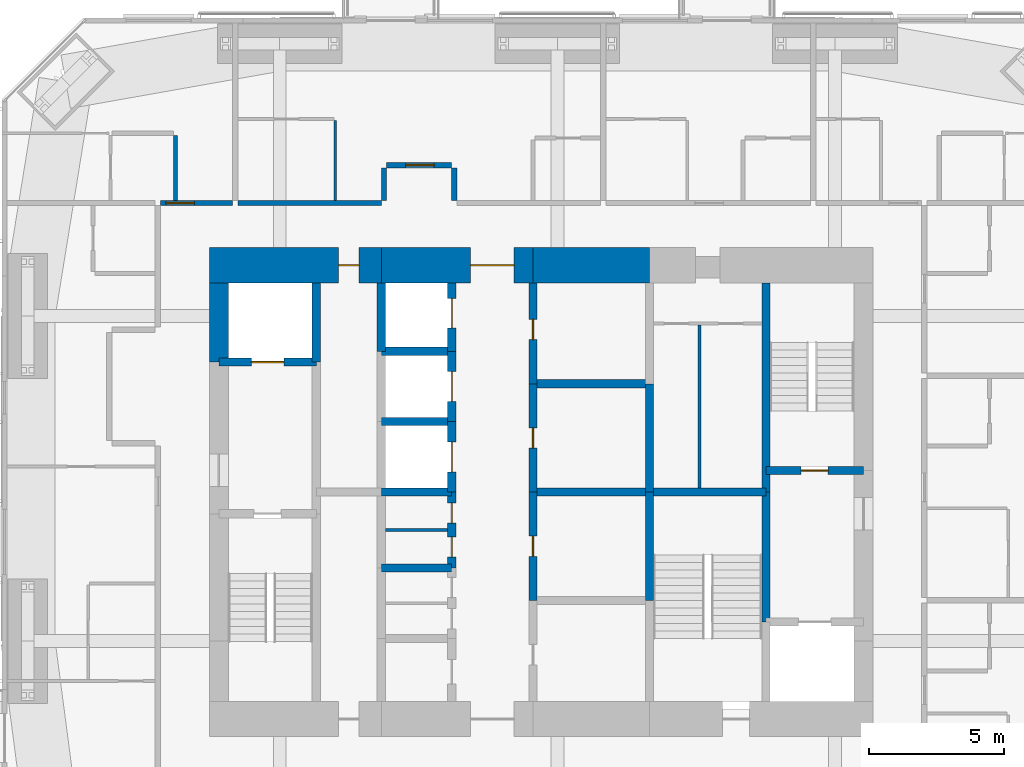
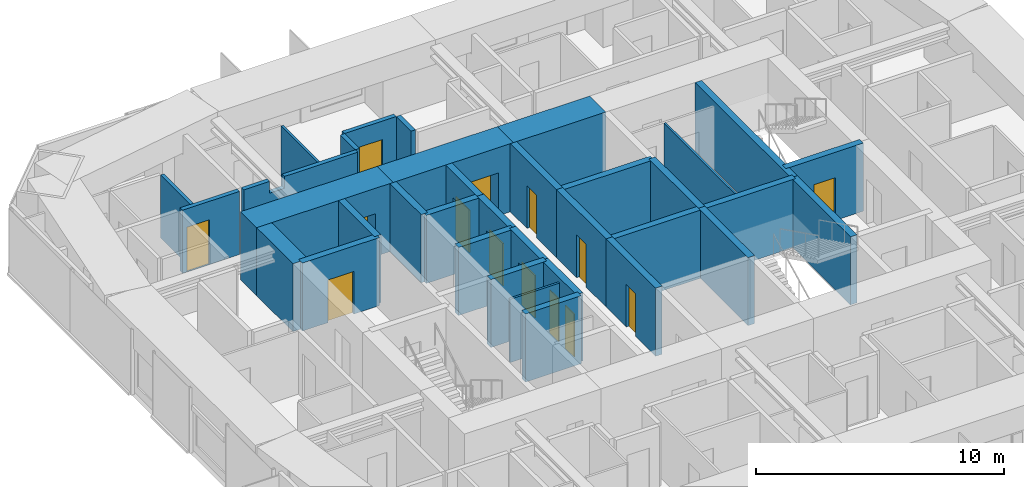
# One storey, part 18 of 22: 35 walls, 14 doors, 14 openings.
"""IFC4 building model written with IfcOpenShell, lengths in metres."""

from ifc_helpers import new_model, si_unit, direction, frame, frame_2d, origin, place, context, subcontext, project, spatial, polyline, rectangle, outline, extrude, material, layer, layer_set, constituent, constituent_set, type_object, element, fill, save


model = new_model("IFC4")

# Units and contexts
model_context = context("Model", 3, precision=1e-05, world=origin(), true_north=direction((0.0, 1.0)))
body_context = subcontext(model_context, "Body", "Model", "MODEL_VIEW")
ifc_project = project(units=[si_unit("LENGTHUNIT", "METRE"), si_unit("AREAUNIT", "SQUARE_METRE"), si_unit("VOLUMEUNIT", "CUBIC_METRE"), si_unit("PLANEANGLEUNIT", "RADIAN"), si_unit("MASSUNIT", "GRAM", prefix="KILO")], contexts=[model_context])

# Site, building, storey
site_placement = place(None, origin())
site = spatial("IfcSite", under=ifc_project, at=site_placement, CompositionType="ELEMENT")
building_placement = place(site_placement, origin())
building = spatial("IfcBuilding", under=site, at=building_placement, Name="Jalousie Tower", CompositionType="ELEMENT")
storey_placement = place(building_placement, frame((0.0, 0.0, 154.35009765625)))
storey = spatial("IfcBuildingStorey", under=building, at=storey_placement, Name="L41", CompositionType="ELEMENT", Elevation=154.35009765625)

# Walls
ifc_material_1 = material(Name="Concrete block ASTM C90", Category="concrete")
ifc_constituent_1 = constituent(ifc_material_1, Name="Body")
ifc_material_2 = material(Name="Render")
ifc_constituent_2 = constituent(ifc_material_2, Name="Finish")
ifc_constituent_set_1 = constituent_set(constituents=[ifc_constituent_1, ifc_constituent_2])
wall_type_1 = type_object("IfcWallType", Name="BATHROOM WALL 150", PredefinedType="PLUMBINGWALL", material=ifc_constituent_set_1)
wall_1_placement = place(storey_placement, frame((18.39990234375, 31.67333984375, 0.0), z_axis=(0.0, 0.0, 1.0), x_axis=(0.0, -1.0, 0.0)))
element("IfcWall", 1, at=wall_1_placement, inside=storey, type_object=wall_type_1, Name="Bathroom Wall 150 L41", PredefinedType="PLUMBINGWALL", context=body_context, shape_type="SweptSolid", body=[
    extrude(rectangle(XDim=2.3984375, YDim=0.14990234375, at=frame_2d((1.19921875, 0.0))), origin(), (0.0, 0.0, 1.0), 3.10986328125),
])
ifc_material_3 = material(Name="Concrete f'c 120 MPa", Category="concrete")
ifc_layer_1 = layer(ifc_material_3, 1.300048828125)
ifc_layer_set_1 = layer_set([ifc_layer_1], Name="Concrete f'c 120 MPa")
wall_type_2 = type_object("IfcWallType", Name="CORE WALL 1300", PredefinedType="SHEAR", material=ifc_layer_set_1)
wall_2_placement = place(storey_placement, frame((35.89990234375, 26.875, 0.0), z_axis=(0.0, 0.0, 1.0), x_axis=(-1.0, 0.0, 0.0)))
element("IfcWall", 2, at=wall_2_placement, inside=storey, type_object=wall_type_2, Name="Core wall NB L41", PredefinedType="SHEAR", context=body_context, shape_type="SweptSolid", body=[
    extrude(rectangle(XDim=4.2998046875, YDim=1.300048828125, at=frame_2d((2.14990234375, 0.0))), origin(), (0.0, 0.0, 1.0), 3.349853515625),
])

# Wall, opening, door
wall_3_placement = place(storey_placement, frame((31.60009765625, 26.875, 0.0), z_axis=(0.0, 0.0, 1.0), x_axis=(-1.0, 0.0, 0.0)))
wall_3 = element("IfcWall", 3, at=wall_3_placement, inside=storey, type_object=wall_type_2, Name="Core wall NC L41", PredefinedType="SHEAR", context=body_context, shape_type="SweptSolid", body=[
    extrude(rectangle(XDim=5.60009765625, YDim=1.300048828125, at=frame_2d((2.800048828125, 0.0))), origin(), (0.0, 0.0, 1.0), 3.349853515625),
])
opening_1_placement = place(wall_3_placement, frame((0.699951171875, 0.0, 0.0)))
opening_1 = element("IfcOpeningElement", 4, at=opening_1_placement, cuts=wall_3, Name="Opening D15", PredefinedType="OPENING", context=body_context, shape_type="SweptSolid", body=[
    extrude(rectangle(XDim=1.60009765625, YDim=2.10009765625, at=frame_2d((0.800048828125, 1.050048828125))), frame((0.0, 0.659912109375, 0.0), z_axis=(0.0, -1.0, 0.0), x_axis=(1.0, 0.0, 0.0)), (0.0, 0.0, 1.0), 1.320068359375),
])
ifc_material_4 = material(Name="Steel fire door", Category="steel")
door_type_1 = type_object("IfcDoorType", Name="LIFT LOBBY DOOR 1600", OperationType="DOUBLE_DOOR_SINGLE_SWING", PredefinedType="DOOR", material=ifc_material_4)
door_1_placement = place(opening_1_placement, origin())
door_1 = element("IfcDoor", 5, at=door_1_placement, inside=storey, type_object=door_type_1, Name="Lift lobby north door", OperationType="DOUBLE_DOOR_SINGLE_SWING", OverallHeight=2.10009765625, OverallWidth=1.60009765625, PredefinedType="DOOR", context=body_context, shape_type="SweptSolid", body=[
    extrude(rectangle(XDim=1.60009765625, YDim=2.10009765625, at=frame_2d((0.800048828125, 1.050048828125))), frame((0.0, 0.02490234375, 0.0), z_axis=(0.0, -1.0, 0.0), x_axis=(1.0, 0.0, 0.0)), (0.0, 0.0, 1.0), 0.050048828125),
])
fill(opening_1, door_1)

wall_4_placement = place(storey_placement, frame((26.0, 26.875, 0.0), z_axis=(0.0, 0.0, 1.0), x_axis=(-1.0, 0.0, 0.0)))
wall_4 = element("IfcWall", 6, at=wall_4_placement, inside=storey, type_object=wall_type_2, Name="Core wall ND L41", PredefinedType="SHEAR", context=body_context, shape_type="SweptSolid", body=[
    extrude(rectangle(XDim=6.35009765625, YDim=1.300048828125, at=frame_2d((3.175048828125, 0.0))), origin(), (0.0, 0.0, 1.0), 3.349853515625),
])
opening_2_placement = place(wall_4_placement, frame((0.824951171875, 0.0, 0.0)))
opening_2 = element("IfcOpeningElement", 7, at=opening_2_placement, cuts=wall_4, Name="Opening D16", PredefinedType="OPENING", context=body_context, shape_type="SweptSolid", body=[
    extrude(rectangle(XDim=0.75, YDim=2.10009765625, at=frame_2d((0.375, 1.050048828125))), frame((0.0, 0.659912109375, 0.0), z_axis=(0.0, -1.0, 0.0), x_axis=(1.0, 0.0, 0.0)), (0.0, 0.0, 1.0), 1.320068359375),
])
ifc_material_5 = material(Name="Steel fire door", Category="steel")
door_type_2 = type_object("IfcDoorType", Name="RISER DOOR 750", OperationType="SINGLE_SWING_LEFT", PredefinedType="DOOR", material=ifc_material_5)
door_2_placement = place(opening_2_placement, origin())
door_2 = element("IfcDoor", 8, at=door_2_placement, inside=storey, type_object=door_type_2, Name="North riser door", OperationType="SINGLE_SWING_RIGHT", OverallHeight=2.10009765625, OverallWidth=0.75, PredefinedType="DOOR", context=body_context, shape_type="SweptSolid", body=[
    extrude(rectangle(XDim=0.75, YDim=2.10009765625, at=frame_2d((0.375, 1.050048828125))), frame((0.0, 0.02490234375, 0.0), z_axis=(0.0, -1.0, 0.0), x_axis=(1.0, 0.0, 0.0)), (0.0, 0.0, 1.0), 0.050048828125),
])
fill(opening_2, door_2)

# Walls
ifc_material_6 = material(Name="Concrete f'c 120 MPa", Category="concrete")
ifc_layer_2 = layer(ifc_material_6, 0.300048828125)
ifc_layer_set_2 = layer_set([ifc_layer_2], Name="Concrete f'c 120 MPa")
wall_type_3 = type_object("IfcWallType", Name="CORE WALL 300", PredefinedType="SHEAR", material=ifc_layer_set_2)
wall_5_placement = place(storey_placement, frame((23.60009765625, 23.300048828125, 0.0), z_axis=(0.0, 0.0, 1.0), x_axis=(0.0, 1.0, 0.0)))
element("IfcWall", 9, at=wall_5_placement, inside=storey, type_object=wall_type_3, Name="Core wall X23.6C L41", PredefinedType="SHEAR", context=body_context, shape_type="SweptSolid", body=[
    extrude(rectangle(XDim=2.925048828125, YDim=0.300048828125, at=frame_2d((1.46240234375, 0.0))), origin(), (0.0, 0.0, 1.0), 3.349853515625),
])
wall_6_placement = place(storey_placement, frame((26.0, 23.699951171875, 0.0), z_axis=(0.0, 0.0, 1.0), x_axis=(0.0, 1.0, 0.0)))
element("IfcWall", 10, at=wall_6_placement, inside=storey, type_object=wall_type_3, Name="Core wall X26F L41", PredefinedType="SHEAR", context=body_context, shape_type="SweptSolid", body=[
    extrude(rectangle(XDim=2.525146484375, YDim=0.300048828125, at=frame_2d((1.2626953125, 0.0))), origin(), (0.0, 0.0, 1.0), 3.349853515625),
])

# Wall, openings, doors
wall_7_placement = place(storey_placement, frame((28.60009765625, 15.699951171875, 0.0), z_axis=(0.0, 0.0, 1.0), x_axis=(0.0, 1.0, 0.0)))
wall_7 = element("IfcWall", 11, at=wall_7_placement, inside=storey, type_object=wall_type_3, Name="Core wall X28.6C L41", PredefinedType="SHEAR", context=body_context, shape_type="SweptSolid", body=[
    extrude(rectangle(XDim=2.800048828125, YDim=0.300048828125, at=frame_2d((1.39990234375, 0.0))), origin(), (0.0, 0.0, 1.0), 3.349853515625),
])
opening_3_placement = place(wall_7_placement, frame((0.39990234375, 0.0, 0.0)))
opening_3 = element("IfcOpeningElement", 12, at=opening_3_placement, cuts=wall_7, Name="Opening D27", PredefinedType="OPENING", context=body_context, shape_type="SweptSolid", body=[
    extrude(rectangle(XDim=0.75, YDim=2.10009765625, at=frame_2d((0.375, 1.050048828125))), frame((0.0, 0.159912109375, 0.0), z_axis=(0.0, -1.0, 0.0), x_axis=(1.0, 0.0, 0.0)), (0.0, 0.0, 1.0), 0.320068359375),
])
opening_4_placement = place(wall_7_placement, frame((1.64990234375, 0.0, 0.0)))
opening_4 = element("IfcOpeningElement", 13, at=opening_4_placement, cuts=wall_7, Name="Opening D27", PredefinedType="OPENING", context=body_context, shape_type="SweptSolid", body=[
    extrude(rectangle(XDim=0.75, YDim=2.10009765625, at=frame_2d((0.375, 1.050048828125))), frame((0.0, 0.159912109375, 0.0), z_axis=(0.0, -1.0, 0.0), x_axis=(1.0, 0.0, 0.0)), (0.0, 0.0, 1.0), 0.320068359375),
])
ifc_material_7 = material(Name="Steel fire door", Category="steel")
door_type_3 = type_object("IfcDoorType", Name="CORE ROOM DOOR 750", OperationType="SINGLE_SWING_LEFT", PredefinedType="DOOR", material=ifc_material_7)
door_3_placement = place(opening_3_placement, origin())
door_3 = element("IfcDoor", 14, at=door_3_placement, inside=storey, type_object=door_type_3, Name="Linen store door", OperationType="SINGLE_SWING_RIGHT", OverallHeight=2.10009765625, OverallWidth=0.75, PredefinedType="DOOR", context=body_context, shape_type="SweptSolid", body=[
    extrude(rectangle(XDim=0.75, YDim=2.10009765625, at=frame_2d((0.375, 1.050048828125))), frame((0.0, 0.02490234375, 0.0), z_axis=(0.0, -1.0, 0.0), x_axis=(1.0, 0.0, 0.0)), (0.0, 0.0, 1.0), 0.050048828125),
])
fill(opening_3, door_3)
door_4_placement = place(opening_4_placement, origin())
door_4 = element("IfcDoor", 15, at=door_4_placement, inside=storey, type_object=door_type_3, Name="Staff WC door", OperationType="SINGLE_SWING_LEFT", OverallHeight=2.10009765625, OverallWidth=0.75, PredefinedType="DOOR", context=body_context, shape_type="SweptSolid", body=[
    extrude(rectangle(XDim=0.75, YDim=2.10009765625, at=frame_2d((0.375, 1.050048828125))), frame((0.0, 0.02490234375, 0.0), z_axis=(0.0, -1.0, 0.0), x_axis=(1.0, 0.0, 0.0)), (0.0, 0.0, 1.0), 0.050048828125),
])
fill(opening_4, door_4)

# Wall, opening, door
wall_8_placement = place(storey_placement, frame((28.60009765625, 18.5, 0.0), z_axis=(0.0, 0.0, 1.0), x_axis=(0.0, 1.0, 0.0)))
wall_8 = element("IfcWall", 16, at=wall_8_placement, inside=storey, type_object=wall_type_3, Name="Core wall X28.6D L41", PredefinedType="SHEAR", context=body_context, shape_type="SweptSolid", body=[
    extrude(rectangle(XDim=2.60009765625, YDim=0.300048828125, at=frame_2d((1.300048828125, 0.0))), origin(), (0.0, 0.0, 1.0), 3.349853515625),
])
opening_5_placement = place(wall_8_placement, frame((0.75, 0.0, 0.0)))
opening_5 = element("IfcOpeningElement", 17, at=opening_5_placement, cuts=wall_8, Name="Opening LD1", PredefinedType="OPENING", context=body_context, shape_type="SweptSolid", body=[
    extrude(rectangle(XDim=1.10009765625, YDim=2.10009765625, at=frame_2d((0.550048828125, 1.050048828125))), frame((0.0, 0.159912109375, 0.0), z_axis=(0.0, -1.0, 0.0), x_axis=(1.0, 0.0, 0.0)), (0.0, 0.0, 1.0), 0.320068359375),
])
ifc_material_8 = material(Name="Steel lift landing door", Category="steel")
door_type_4 = type_object("IfcDoorType", Name="LIFT LANDING DOOR 1100", OperationType="SLIDING_TO_LEFT", PredefinedType="DOOR", material=ifc_material_8)
door_5_placement = place(opening_5_placement, origin())
door_5 = element("IfcDoor", 18, at=door_5_placement, inside=storey, type_object=door_type_4, Name="Lift P4 landing door", OperationType="SLIDING_TO_LEFT", OverallHeight=2.10009765625, OverallWidth=1.10009765625, PredefinedType="DOOR", context=body_context, shape_type="SweptSolid", body=[
    extrude(rectangle(XDim=1.10009765625, YDim=2.10009765625, at=frame_2d((0.550048828125, 1.050048828125))), frame((0.0, 0.02490234375, 0.0), z_axis=(0.0, -1.0, 0.0), x_axis=(1.0, 0.0, 0.0)), (0.0, 0.0, 1.0), 0.050048828125),
])
fill(opening_5, door_5)

wall_9_placement = place(storey_placement, frame((28.60009765625, 21.10009765625, 0.0), z_axis=(0.0, 0.0, 1.0), x_axis=(0.0, 1.0, 0.0)))
wall_9 = element("IfcWall", 19, at=wall_9_placement, inside=storey, type_object=wall_type_3, Name="Core wall X28.6E L41", PredefinedType="SHEAR", context=body_context, shape_type="SweptSolid", body=[
    extrude(rectangle(XDim=2.599853515625, YDim=0.300048828125, at=frame_2d((1.2998046875, 0.0))), origin(), (0.0, 0.0, 1.0), 3.349853515625),
])
opening_6_placement = place(wall_9_placement, frame((0.75, 0.0, 0.0)))
opening_6 = element("IfcOpeningElement", 20, at=opening_6_placement, cuts=wall_9, Name="Opening LD1", PredefinedType="OPENING", context=body_context, shape_type="SweptSolid", body=[
    extrude(rectangle(XDim=1.10009765625, YDim=2.10009765625, at=frame_2d((0.550048828125, 1.050048828125))), frame((0.0, 0.159912109375, 0.0), z_axis=(0.0, -1.0, 0.0), x_axis=(1.0, 0.0, 0.0)), (0.0, 0.0, 1.0), 0.320068359375),
])
door_6_placement = place(opening_6_placement, origin())
door_6 = element("IfcDoor", 21, at=door_6_placement, inside=storey, type_object=door_type_4, Name="Lift P5 landing door", OperationType="SLIDING_TO_LEFT", OverallHeight=2.10009765625, OverallWidth=1.10009765625, PredefinedType="DOOR", context=body_context, shape_type="SweptSolid", body=[
    extrude(rectangle(XDim=1.10009765625, YDim=2.10009765625, at=frame_2d((0.550048828125, 1.050048828125))), frame((0.0, 0.02490234375, 0.0), z_axis=(0.0, -1.0, 0.0), x_axis=(1.0, 0.0, 0.0)), (0.0, 0.0, 1.0), 0.050048828125),
])
fill(opening_6, door_6)

wall_10_placement = place(storey_placement, frame((28.60009765625, 23.699951171875, 0.0), z_axis=(0.0, 0.0, 1.0), x_axis=(0.0, 1.0, 0.0)))
wall_10 = element("IfcWall", 22, at=wall_10_placement, inside=storey, type_object=wall_type_3, Name="Core wall X28.6F L41", PredefinedType="SHEAR", context=body_context, shape_type="SweptSolid", body=[
    extrude(rectangle(XDim=2.525146484375, YDim=0.300048828125, at=frame_2d((1.2626953125, 0.0))), origin(), (0.0, 0.0, 1.0), 3.349853515625),
])
opening_7_placement = place(wall_10_placement, frame((0.85009765625, 0.0, 0.0)))
opening_7 = element("IfcOpeningElement", 23, at=opening_7_placement, cuts=wall_10, Name="Opening LD1", PredefinedType="OPENING", context=body_context, shape_type="SweptSolid", body=[
    extrude(rectangle(XDim=1.10009765625, YDim=2.10009765625, at=frame_2d((0.550048828125, 1.050048828125))), frame((0.0, 0.159912109375, 0.0), z_axis=(0.0, -1.0, 0.0), x_axis=(1.0, 0.0, 0.0)), (0.0, 0.0, 1.0), 0.320068359375),
])
door_7_placement = place(opening_7_placement, origin())
door_7 = element("IfcDoor", 24, at=door_7_placement, inside=storey, type_object=door_type_4, Name="Lift P6 landing door", OperationType="SLIDING_TO_LEFT", OverallHeight=2.10009765625, OverallWidth=1.10009765625, PredefinedType="DOOR", context=body_context, shape_type="SweptSolid", body=[
    extrude(rectangle(XDim=1.10009765625, YDim=2.10009765625, at=frame_2d((0.550048828125, 1.050048828125))), frame((0.0, 0.02490234375, 0.0), z_axis=(0.0, -1.0, 0.0), x_axis=(1.0, 0.0, 0.0)), (0.0, 0.0, 1.0), 0.050048828125),
])
fill(opening_7, door_7)

wall_11_placement = place(storey_placement, frame((31.60009765625, 14.5, 0.0), z_axis=(0.0, 0.0, 1.0), x_axis=(0.0, 1.0, 0.0)))
wall_11 = element("IfcWall", 25, at=wall_11_placement, inside=storey, type_object=wall_type_3, Name="Core wall X31.6B L41", PredefinedType="SHEAR", context=body_context, shape_type="SweptSolid", body=[
    extrude(rectangle(XDim=4.0, YDim=0.300048828125, at=frame_2d((2.0, 0.0))), origin(), (0.0, 0.0, 1.0), 3.349853515625),
])
opening_8_placement = place(wall_11_placement, frame((1.625, 0.0, 0.0)))
opening_8 = element("IfcOpeningElement", 26, at=opening_8_placement, cuts=wall_11, Name="Opening D16", PredefinedType="OPENING", context=body_context, shape_type="SweptSolid", body=[
    extrude(rectangle(XDim=0.75, YDim=2.10009765625, at=frame_2d((0.375, 1.050048828125))), frame((0.0, 0.159912109375, 0.0), z_axis=(0.0, -1.0, 0.0), x_axis=(1.0, 0.0, 0.0)), (0.0, 0.0, 1.0), 0.320068359375),
])
door_8_placement = place(opening_8_placement, frame((0.75, 0.0, 0.0), z_axis=(0.0, 0.0, 1.0), x_axis=(-1.0, 0.0, 0.0)))
door_8 = element("IfcDoor", 27, at=door_8_placement, inside=storey, type_object=door_type_2, Name="Electrical Room door", OperationType="SINGLE_SWING_RIGHT", OverallHeight=2.10009765625, OverallWidth=0.75, PredefinedType="DOOR", context=body_context, shape_type="SweptSolid", body=[
    extrude(rectangle(XDim=0.75, YDim=2.10009765625, at=frame_2d((0.375, 1.050048828125))), frame((0.0, 0.02490234375, 0.0), z_axis=(0.0, -1.0, 0.0), x_axis=(1.0, 0.0, 0.0)), (0.0, 0.0, 1.0), 0.050048828125),
])
fill(opening_8, door_8)

wall_12_placement = place(storey_placement, frame((31.60009765625, 18.5, 0.0), z_axis=(0.0, 0.0, 1.0), x_axis=(0.0, 1.0, 0.0)))
wall_12 = element("IfcWall", 28, at=wall_12_placement, inside=storey, type_object=wall_type_3, Name="Core wall X31.6C L41", PredefinedType="SHEAR", context=body_context, shape_type="SweptSolid", body=[
    extrude(rectangle(XDim=4.0, YDim=0.300048828125, at=frame_2d((2.0, 0.0))), origin(), (0.0, 0.0, 1.0), 3.349853515625),
])
opening_9_placement = place(wall_12_placement, frame((1.625, 0.0, 0.0)))
opening_9 = element("IfcOpeningElement", 29, at=opening_9_placement, cuts=wall_12, Name="Opening D16", PredefinedType="OPENING", context=body_context, shape_type="SweptSolid", body=[
    extrude(rectangle(XDim=0.75, YDim=2.10009765625, at=frame_2d((0.375, 1.050048828125))), frame((0.0, 0.159912109375, 0.0), z_axis=(0.0, -1.0, 0.0), x_axis=(1.0, 0.0, 0.0)), (0.0, 0.0, 1.0), 0.320068359375),
])
door_9_placement = place(opening_9_placement, frame((0.75, 0.0, 0.0), z_axis=(0.0, 0.0, 1.0), x_axis=(-1.0, 0.0, 0.0)))
door_9 = element("IfcDoor", 30, at=door_9_placement, inside=storey, type_object=door_type_2, Name="Telecom Room door", OperationType="SINGLE_SWING_RIGHT", OverallHeight=2.10009765625, OverallWidth=0.75, PredefinedType="DOOR", context=body_context, shape_type="SweptSolid", body=[
    extrude(rectangle(XDim=0.75, YDim=2.10009765625, at=frame_2d((0.375, 1.050048828125))), frame((0.0, 0.02490234375, 0.0), z_axis=(0.0, -1.0, 0.0), x_axis=(1.0, 0.0, 0.0)), (0.0, 0.0, 1.0), 0.050048828125),
])
fill(opening_9, door_9)

wall_13_placement = place(storey_placement, frame((31.60009765625, 22.5, 0.0), z_axis=(0.0, 0.0, 1.0), x_axis=(0.0, 1.0, 0.0)))
wall_13 = element("IfcWall", 31, at=wall_13_placement, inside=storey, type_object=wall_type_3, Name="Core wall X31.6D L41", PredefinedType="SHEAR", context=body_context, shape_type="SweptSolid", body=[
    extrude(rectangle(XDim=3.72509765625, YDim=0.300048828125, at=frame_2d((1.862548828125, 0.0))), origin(), (0.0, 0.0, 1.0), 3.349853515625),
])
opening_10_placement = place(wall_13_placement, frame((1.625, 0.0, 0.0)))
opening_10 = element("IfcOpeningElement", 32, at=opening_10_placement, cuts=wall_13, Name="Opening D16", PredefinedType="OPENING", context=body_context, shape_type="SweptSolid", body=[
    extrude(rectangle(XDim=0.75, YDim=2.10009765625, at=frame_2d((0.375, 1.050048828125))), frame((0.0, 0.159912109375, 0.0), z_axis=(0.0, -1.0, 0.0), x_axis=(1.0, 0.0, 0.0)), (0.0, 0.0, 1.0), 0.320068359375),
])
door_10_placement = place(opening_10_placement, frame((0.75, 0.0, 0.0), z_axis=(0.0, 0.0, 1.0), x_axis=(-1.0, 0.0, 0.0)))
door_10 = element("IfcDoor", 33, at=door_10_placement, inside=storey, type_object=door_type_2, Name="Water Services Room door", OperationType="SINGLE_SWING_LEFT", OverallHeight=2.10009765625, OverallWidth=0.75, PredefinedType="DOOR", context=body_context, shape_type="SweptSolid", body=[
    extrude(rectangle(XDim=0.75, YDim=2.10009765625, at=frame_2d((0.375, 1.050048828125))), frame((0.0, 0.02490234375, 0.0), z_axis=(0.0, -1.0, 0.0), x_axis=(1.0, 0.0, 0.0)), (0.0, 0.0, 1.0), 0.050048828125),
])
fill(opening_10, door_10)

# Walls
for number, where, z_axis, x_axis, name in (
    (34, (35.89990234375, 14.5, 0.0), (0.0, 0.0, 1.0), (0.0, 1.0, 0.0), "Core wall X35.9B L41"),
    (35, (35.89990234375, 18.5, 0.0), (0.0, 0.0, 1.0), (0.0, 1.0, 0.0), "Core wall X35.9C L41"),
):
    element("IfcWall", number, at=place(storey_placement, frame(where, z_axis=z_axis, x_axis=x_axis)), inside=storey, type_object=wall_type_3, Name=name, PredefinedType="SHEAR", context=body_context, shape_type="SweptSolid", body=[
        extrude(rectangle(XDim=4.0, YDim=0.300048828125, at=frame_2d((2.0, 0.0))), origin(), (0.0, 0.0, 1.0), 3.349853515625),
    ])
wall_14_placement = place(storey_placement, frame((40.199951171875, 13.699951171875, 0.0), z_axis=(0.0, 0.0, 1.0), x_axis=(0.0, 1.0, 0.0)))
element("IfcWall", 36, at=wall_14_placement, inside=storey, type_object=wall_type_3, Name="Core wall X40.2B L41", PredefinedType="SHEAR", context=body_context, shape_type="SweptSolid", body=[
    extrude(rectangle(XDim=4.800048828125, YDim=0.300048828125, at=frame_2d((2.39990234375, 0.0))), origin(), (0.0, 0.0, 1.0), 3.349853515625),
])
wall_15_placement = place(storey_placement, frame((40.199951171875, 18.5, 0.0), z_axis=(0.0, 0.0, 1.0), x_axis=(0.0, 1.0, 0.0)))
element("IfcWall", 37, at=wall_15_placement, inside=storey, type_object=wall_type_3, Name="Core wall X40.2C L41", PredefinedType="SHEAR", context=body_context, shape_type="SweptSolid", body=[
    extrude(rectangle(XDim=7.72509765625, YDim=0.300048828125, at=frame_2d((3.862548828125, 0.0))), origin(), (0.0, 0.0, 1.0), 3.349853515625),
])

# Wall, opening, door
wall_16_placement = place(storey_placement, frame((20.0, 23.300048828125, 0.0), z_axis=(0.0, 0.0, 1.0), x_axis=(1.0, 0.0, 0.0)))
wall_16 = element("IfcWall", 38, at=wall_16_placement, inside=storey, type_object=wall_type_3, Name="Core wall Y20-23.3 L41", PredefinedType="SHEAR", context=body_context, shape_type="SweptSolid", body=[
    extrude(rectangle(XDim=3.60009765625, YDim=0.300048828125, at=frame_2d((1.800048828125, 0.0))), origin(), (0.0, 0.0, 1.0), 3.349853515625),
])
opening_11_placement = place(wall_16_placement, frame((1.199951171875, 0.0, 0.0)))
opening_11 = element("IfcOpeningElement", 39, at=opening_11_placement, cuts=wall_16, Name="Opening LD2", PredefinedType="OPENING", context=body_context, shape_type="SweptSolid", body=[
    extrude(rectangle(XDim=1.199951171875, YDim=2.10009765625, at=frame_2d((0.60009765625, 1.050048828125))), frame((0.0, 0.159912109375, 0.0), z_axis=(0.0, -1.0, 0.0), x_axis=(1.0, 0.0, 0.0)), (0.0, 0.0, 1.0), 0.320068359375),
])
ifc_material_9 = material(Name="Steel lift landing door", Category="steel")
door_type_5 = type_object("IfcDoorType", Name="LIFT LANDING DOOR 1200", OperationType="SLIDING_TO_LEFT", PredefinedType="DOOR", material=ifc_material_9)
door_11_placement = place(opening_11_placement, origin())
door_11 = element("IfcDoor", 40, at=door_11_placement, inside=storey, type_object=door_type_5, Name="Lift F1 landing door", OperationType="SLIDING_TO_LEFT", OverallHeight=2.10009765625, OverallWidth=1.199951171875, PredefinedType="DOOR", context=body_context, shape_type="SweptSolid", body=[
    extrude(rectangle(XDim=1.199951171875, YDim=2.10009765625, at=frame_2d((0.60009765625, 1.050048828125))), frame((0.0, 0.02490234375, 0.0), z_axis=(0.0, -1.0, 0.0), x_axis=(1.0, 0.0, 0.0)), (0.0, 0.0, 1.0), 0.050048828125),
])
fill(opening_11, door_11)

# Walls
for number, where, z_axis, x_axis, name in (
    (41, (26.0, 15.699951171875, 0.0), (0.0, 0.0, 1.0), (1.0, 0.0, 0.0), "Core wall Y26-15.7 L41"),
    (42, (26.0, 18.5, 0.0), (0.0, 0.0, 1.0), (1.0, 0.0, 0.0), "Core wall Y26-18.5 L41"),
    (43, (26.0, 21.10009765625, 0.0), (0.0, 0.0, 1.0), (1.0, 0.0, 0.0), "Core wall Y26-21.1 L41"),
    (44, (26.0, 23.699951171875, 0.0), (0.0, 0.0, 1.0), (1.0, 0.0, 0.0), "Core wall Y26-23.7 L41"),
):
    element("IfcWall", number, at=place(storey_placement, frame(where, z_axis=z_axis, x_axis=x_axis)), inside=storey, type_object=wall_type_3, Name=name, PredefinedType="SHEAR", context=body_context, shape_type="SweptSolid", body=[
        extrude(rectangle(XDim=2.60009765625, YDim=0.300048828125, at=frame_2d((1.300048828125, 0.0))), origin(), (0.0, 0.0, 1.0), 3.349853515625),
    ])
for number, where, z_axis, x_axis, name in (
    (45, (31.60009765625, 18.5, 0.0), (0.0, 0.0, 1.0), (1.0, 0.0, 0.0), "Core wall Y31.6-18.5 L41"),
    (46, (31.60009765625, 22.5, 0.0), (0.0, 0.0, 1.0), (1.0, 0.0, 0.0), "Core wall Y31.6-22.5 L41"),
):
    element("IfcWall", number, at=place(storey_placement, frame(where, z_axis=z_axis, x_axis=x_axis)), inside=storey, type_object=wall_type_3, Name=name, PredefinedType="SHEAR", context=body_context, shape_type="SweptSolid", body=[
        extrude(rectangle(XDim=4.2998046875, YDim=0.300048828125, at=frame_2d((2.14990234375, 0.0))), origin(), (0.0, 0.0, 1.0), 3.349853515625),
    ])
wall_17_placement = place(storey_placement, frame((35.89990234375, 18.5, 0.0), z_axis=(0.0, 0.0, 1.0), x_axis=(1.0, 0.0, 0.0)))
element("IfcWall", 47, at=wall_17_placement, inside=storey, type_object=wall_type_3, Name="Core wall Y35.9-18.5 L41", PredefinedType="SHEAR", context=body_context, shape_type="SweptSolid", body=[
    extrude(rectangle(XDim=4.300048828125, YDim=0.300048828125, at=frame_2d((2.14990234375, 0.0))), origin(), (0.0, 0.0, 1.0), 3.349853515625),
])

# Wall, opening, door
wall_18_placement = place(storey_placement, frame((40.199951171875, 19.300048828125, 0.0), z_axis=(0.0, 0.0, 1.0), x_axis=(1.0, 0.0, 0.0)))
wall_18 = element("IfcWall", 48, at=wall_18_placement, inside=storey, type_object=wall_type_3, Name="Core wall Y40.2-19.3 L41", PredefinedType="SHEAR", context=body_context, shape_type="SweptSolid", body=[
    extrude(rectangle(XDim=3.60009765625, YDim=0.300048828125, at=frame_2d((1.800048828125, 0.0))), origin(), (0.0, 0.0, 1.0), 3.349853515625),
])
opening_12_placement = place(wall_18_placement, frame((1.300048828125, 0.0, 0.0)))
opening_12 = element("IfcOpeningElement", 49, at=opening_12_placement, cuts=wall_18, Name="Opening D10", PredefinedType="OPENING", context=body_context, shape_type="SweptSolid", body=[
    extrude(rectangle(XDim=1.0, YDim=2.10009765625, at=frame_2d((0.5, 1.050048828125))), frame((0.0, 0.159912109375, 0.0), z_axis=(0.0, -1.0, 0.0), x_axis=(1.0, 0.0, 0.0)), (0.0, 0.0, 1.0), 0.320068359375),
])
ifc_material_10 = material(Name="Steel fire door", Category="steel")
door_type_6 = type_object("IfcDoorType", Name="STAIR DOOR 1000", OperationType="SINGLE_SWING_LEFT", PredefinedType="DOOR", material=ifc_material_10)
door_12_placement = place(opening_12_placement, origin())
door_12 = element("IfcDoor", 50, at=door_12_placement, inside=storey, type_object=door_type_6, Name="Exit stair B door", OperationType="SINGLE_SWING_RIGHT", OverallHeight=2.10009765625, OverallWidth=1.0, PredefinedType="DOOR", context=body_context, shape_type="SweptSolid", body=[
    extrude(rectangle(XDim=1.0, YDim=2.10009765625, at=frame_2d((0.5, 1.050048828125))), frame((0.0, 0.02490234375, 0.0), z_axis=(0.0, -1.0, 0.0), x_axis=(1.0, 0.0, 0.0)), (0.0, 0.0, 1.0), 0.050048828125),
])
fill(opening_12, door_12)

# Wall
ifc_material_11 = material(Name="Concrete f'c 120 MPa", Category="concrete")
ifc_layer_3 = layer(ifc_material_11, 0.699951171875)
ifc_layer_set_3 = layer_set([ifc_layer_3], Name="Concrete f'c 120 MPa")
wall_type_4 = type_object("IfcWallType", Name="CORE WALL 700", PredefinedType="SHEAR", material=ifc_layer_set_3)
wall_19_placement = place(storey_placement, frame((20.0, 26.22509765625, 0.0), z_axis=(0.0, 0.0, 1.0), x_axis=(0.0, -1.0, 0.0)))
element("IfcWall", 51, at=wall_19_placement, inside=storey, type_object=wall_type_4, Name="Core wall WA L41", PredefinedType="SHEAR", context=body_context, shape_type="SweptSolid", body=[
    extrude(rectangle(XDim=2.925048828125, YDim=0.699951171875, at=frame_2d((1.46240234375, 0.0))), origin(), (0.0, 0.0, 1.0), 3.349853515625),
])

# Wall, opening, door
ifc_material_12 = material(Name="Concrete block ASTM C90", Category="concrete")
ifc_constituent_3 = constituent(ifc_material_12, Name="Body")
ifc_material_13 = material(Name="Render")
ifc_constituent_4 = constituent(ifc_material_13, Name="Finish")
ifc_constituent_set_2 = constituent_set(constituents=[ifc_constituent_3, ifc_constituent_4])
wall_type_5 = type_object("IfcWallType", Name="CORRIDOR WALL 200", PredefinedType="PARTITIONING", material=ifc_constituent_set_2)
wall_20_placement = place(storey_placement, frame((17.85009765625, 29.175048828125, 0.0), z_axis=(0.0, 0.0, 1.0), x_axis=(1.0, 0.0, 0.0)))
wall_20 = element("IfcWall", 52, at=wall_20_placement, inside=storey, type_object=wall_type_5, Name="Corridor Wall 200 L41", PredefinedType="PARTITIONING", context=body_context, shape_type="SweptSolid", body=[
    extrude(rectangle(XDim=2.64990234375, YDim=0.199951171875, at=frame_2d((1.324951171875, 0.0))), origin(), (0.0, 0.0, 1.0), 3.10986328125),
])
opening_13_placement = place(wall_20_placement, frame((0.199951171875, 0.0, 0.0)))
opening_13 = element("IfcOpeningElement", 53, at=opening_13_placement, cuts=wall_20, Name="Opening D1", PredefinedType="OPENING", context=body_context, shape_type="SweptSolid", body=[
    extrude(rectangle(XDim=1.050048828125, YDim=2.199951171875, at=frame_2d((0.52490234375, 1.10009765625))), frame((0.0, 0.10986328125, 0.0), z_axis=(0.0, -1.0, 0.0), x_axis=(1.0, 0.0, 0.0)), (0.0, 0.0, 1.0), 0.219970703125),
])
ifc_material_14 = material(Name="Timber fire door", Category="wood")
door_type_7 = type_object("IfcDoorType", Name="APARTMENT ENTRANCE DOOR 1050", OperationType="SINGLE_SWING_LEFT", PredefinedType="DOOR", material=ifc_material_14)
door_13_placement = place(opening_13_placement, origin())
door_13 = element("IfcDoor", 54, at=door_13_placement, inside=storey, type_object=door_type_7, Name="Apartment 4105 entrance", OperationType="SINGLE_SWING_RIGHT", OverallHeight=2.199951171875, OverallWidth=1.050048828125, PredefinedType="DOOR", context=body_context, shape_type="SweptSolid", body=[
    extrude(rectangle(XDim=1.050048828125, YDim=2.199951171875, at=frame_2d((0.52490234375, 1.10009765625))), frame((0.0, 0.02490234375, 0.0), z_axis=(0.0, -1.0, 0.0), x_axis=(1.0, 0.0, 0.0)), (0.0, 0.0, 1.0), 0.050048828125),
])
fill(opening_13, door_13)

# Wall
wall_21_placement = place(storey_placement, frame((20.699951171875, 29.175048828125, 0.0), z_axis=(0.0, 0.0, 1.0), x_axis=(1.0, 0.0, 0.0)))
element("IfcWall", 55, at=wall_21_placement, inside=storey, type_object=wall_type_5, Name="Corridor Wall 200 L41", PredefinedType="PARTITIONING", context=body_context, shape_type="SweptSolid", body=[
    extrude(outline(polyline([(0.0, 0.0), (5.300048828125, 0.0), (5.300048828125, 3.10986328125), (1.896240234375, 3.10986328125), (1.896240234375, 2.531005859375), (1.203857421875, 2.531005859375), (1.203857421875, 3.10986328125), (0.0, 3.10986328125), (0.0, 0.0)])), frame((0.0, 0.10009765625, 0.0), z_axis=(0.0, -1.0, 0.0), x_axis=(1.0, 0.0, 0.0)), (0.0, 0.0, 1.0), 0.199951171875),
])

# Wall, opening, door
wall_22_placement = place(storey_placement, frame((26.199951171875, 30.574951171875, 0.0), z_axis=(0.0, 0.0, 1.0), x_axis=(1.0, 0.0, 0.0)))
wall_22 = element("IfcWall", 56, at=wall_22_placement, inside=storey, type_object=wall_type_5, Name="Corridor Wall 200 L41", PredefinedType="PARTITIONING", context=body_context, shape_type="SweptSolid", body=[
    extrude(rectangle(XDim=2.400146484375, YDim=0.199951171875, at=frame_2d((1.2001953125, 0.0))), origin(), (0.0, 0.0, 1.0), 3.10986328125),
])
opening_14_placement = place(wall_22_placement, frame((0.699951171875, 0.0, 0.0)))
opening_14 = element("IfcOpeningElement", 57, at=opening_14_placement, cuts=wall_22, Name="Opening D1", PredefinedType="OPENING", context=body_context, shape_type="SweptSolid", body=[
    extrude(rectangle(XDim=1.050048828125, YDim=2.199951171875, at=frame_2d((0.52490234375, 1.10009765625))), frame((0.0, 0.10986328125, 0.0), z_axis=(0.0, -1.0, 0.0), x_axis=(1.0, 0.0, 0.0)), (0.0, 0.0, 1.0), 0.219970703125),
])
door_14_placement = place(opening_14_placement, origin())
door_14 = element("IfcDoor", 58, at=door_14_placement, inside=storey, type_object=door_type_7, Name="Apartment 4106 entrance", OperationType="SINGLE_SWING_LEFT", OverallHeight=2.199951171875, OverallWidth=1.050048828125, PredefinedType="DOOR", context=body_context, shape_type="SweptSolid", body=[
    extrude(rectangle(XDim=1.050048828125, YDim=2.199951171875, at=frame_2d((0.52490234375, 1.10009765625))), frame((0.0, 0.02490234375, 0.0), z_axis=(0.0, -1.0, 0.0), x_axis=(1.0, 0.0, 0.0)), (0.0, 0.0, 1.0), 0.050048828125),
])
fill(opening_14, door_14)

# Walls
for number, where, z_axis, x_axis, name in (
    (59, (26.10009765625, 29.27490234375, 0.0), (0.0, 0.0, 1.0), (0.0, 1.0, 0.0), "Corridor Wall 200 L41"),
    (60, (28.699951171875, 29.27490234375, 0.0), (0.0, 0.0, 1.0), (0.0, 1.0, 0.0), "Corridor Wall 200 L41"),
):
    element("IfcWall", number, at=place(storey_placement, frame(where, z_axis=z_axis, x_axis=x_axis)), inside=storey, type_object=wall_type_5, Name=name, PredefinedType="PARTITIONING", context=body_context, shape_type="SweptSolid", body=[
        extrude(rectangle(XDim=1.2001953125, YDim=0.199951171875, at=frame_2d((0.60009765625, 0.0))), origin(), (0.0, 0.0, 1.0), 3.10986328125),
    ])
ifc_material_15 = material(Name="Gypsum board", Category="gypsum")
ifc_constituent_5 = constituent(ifc_material_15, Name="Body")
ifc_material_16 = material(Name="Light-gauge steel studs ASTM A653 SS Grade 33", Category="steel")
ifc_constituent_6 = constituent(ifc_material_16, Name="Framing")
ifc_constituent_set_3 = constituent_set(constituents=[ifc_constituent_5, ifc_constituent_6])
wall_type_6 = type_object("IfcWallType", Name="PARTITION 100", PredefinedType="PARTITIONING", material=ifc_constituent_set_3)
wall_23_placement = place(storey_placement, frame((24.300048828125, 32.22509765625, 0.0), z_axis=(0.0, 0.0, 1.0), x_axis=(0.0, -1.0, 0.0)))
element("IfcWall", 61, at=wall_23_placement, inside=storey, type_object=wall_type_6, Name="Partition 100 L41", PredefinedType="PARTITIONING", context=body_context, shape_type="SweptSolid", body=[
    extrude(rectangle(XDim=2.9501953125, YDim=0.10009765625, at=frame_2d((1.47509765625, 0.0))), origin(), (0.0, 0.0, 1.0), 3.10986328125),
])
wall_24_placement = place(storey_placement, frame((37.75, 18.64990234375, 0.0), z_axis=(0.0, 0.0, 1.0), x_axis=(0.0, 1.0, 0.0)))
element("IfcWall", 62, at=wall_24_placement, inside=storey, type_object=wall_type_6, Name="Partition 100 L41", PredefinedType="PARTITIONING", context=body_context, shape_type="SweptSolid", body=[
    extrude(rectangle(XDim=6.025146484375, YDim=0.10009765625, at=frame_2d((3.0126953125, 0.0))), origin(), (0.0, 0.0, 1.0), 3.10986328125),
])
wall_25_placement = place(storey_placement, frame((26.14990234375, 17.10009765625, 0.0), z_axis=(0.0, 0.0, 1.0), x_axis=(1.0, 0.0, 0.0)))
element("IfcWall", 63, at=wall_25_placement, inside=storey, type_object=wall_type_6, Name="Partition 100 L41", PredefinedType="PARTITIONING", context=body_context, shape_type="SweptSolid", body=[
    extrude(rectangle(XDim=2.300048828125, YDim=0.10009765625, at=frame_2d((1.14990234375, 0.0))), origin(), (0.0, 0.0, 1.0), 3.10986328125),
])

save(model, "model.ifc")
